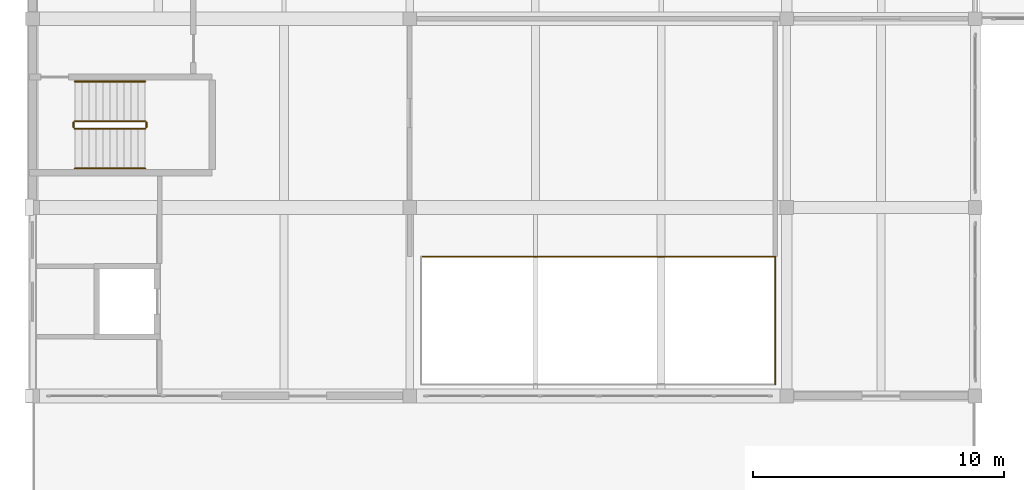
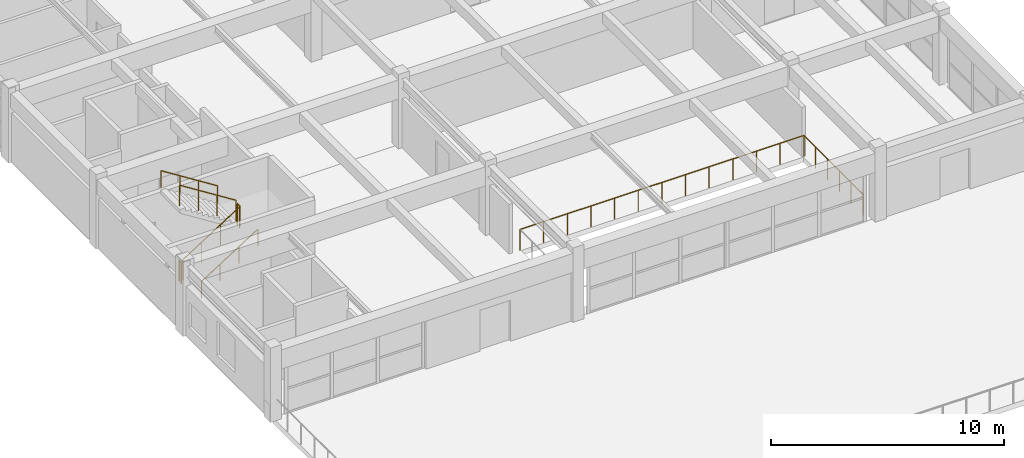
# One storey, part 90 of 101: 8 railings.
"""IFC4 building model written with IfcOpenShell, lengths in metres."""

from ifc_helpers import new_model, si_unit, direction, frame, origin, origin_2d, place, context, subcontext, project, spatial, circle, extrude, material, layer, layer_set, type_object, element, save


model = new_model("IFC4")

# Units and contexts
model_context = context("Model", 3, precision=1e-05, world=origin(), true_north=direction((0.0, 1.0)))
body_context = subcontext(model_context, "Body", "Model", "MODEL_VIEW")
ifc_project = project(units=[si_unit("LENGTHUNIT", "METRE"), si_unit("AREAUNIT", "SQUARE_METRE"), si_unit("VOLUMEUNIT", "CUBIC_METRE"), si_unit("PLANEANGLEUNIT", "RADIAN"), si_unit("MASSUNIT", "GRAM", prefix="KILO")], contexts=[model_context])

# Site, building, storey
site_placement = place(None, origin())
site = spatial("IfcSite", under=ifc_project, at=site_placement, CompositionType="ELEMENT")
building_placement = place(site_placement, origin())
building = spatial("IfcBuilding", under=site, at=building_placement, Name="Qasida Concert Hall", CompositionType="ELEMENT")
storey_placement = place(building_placement, frame((0.0, 0.0, 13.199951171875)))
storey = spatial("IfcBuildingStorey", under=building, at=storey_placement, Name="L03", CompositionType="ELEMENT", Elevation=13.199951171875)

# Railings
ifc_material_1 = material(Name="Carved Lebanese limestone and bronze top rail", Category="masonry")
ifc_layer_1 = layer(ifc_material_1, 0.10009765625, Name="Carved Lebanese limestone and bronze top rail")
ifc_layer_set_1 = layer_set([ifc_layer_1], Name="Carved Lebanese limestone and bronze top rail")
railing_type_1 = type_object("IfcRailingType", Name="RL-BAL-1100", PredefinedType="BALUSTRADE", material=ifc_layer_set_1)
railing_1_placement = place(storey_placement, frame((29.5400390625, 15.4599609375, 0.0)))
element("IfcRailing", 1, at=railing_1_placement, inside=storey, type_object=railing_type_1, Name="L03 L03 atrium balustrade 0055", PredefinedType="BALUSTRADE", context=body_context, shape_type="SweptSolid", body=[
    extrude(circle(Radius=0.02392578125, at=origin_2d()), frame((0.0, 0.0, 1.09619140625), z_axis=(0.0, 1.0, 0.0), x_axis=(-1.0, 0.0, 0.0)), (0.0, 0.0, 1.0), 5.080078125),
    extrude(circle(Radius=0.02099609375, at=origin_2d()), origin(), (0.0, 0.0, 1.0), 1.072021484375),
    extrude(circle(Radius=0.02099609375, at=origin_2d()), frame((0.0, 1.01611328125, 0.0)), (0.0, 0.0, 1.0), 1.072021484375),
    extrude(circle(Radius=0.02099609375, at=origin_2d()), frame((0.0, 2.031982421875, 0.0)), (0.0, 0.0, 1.0), 1.072021484375),
    extrude(circle(Radius=0.02099609375, at=origin_2d()), frame((0.0, 3.048095703125, 0.0)), (0.0, 0.0, 1.0), 1.072021484375),
    extrude(circle(Radius=0.02099609375, at=origin_2d()), frame((0.0, 4.06396484375, 0.0)), (0.0, 0.0, 1.0), 1.072021484375),
    extrude(circle(Radius=0.02099609375, at=origin_2d()), frame((0.0, 5.080078125, 0.0)), (0.0, 0.0, 1.0), 1.072021484375),
])
railing_2_placement = place(storey_placement, frame((29.5400390625, 20.5400390625, 0.0)))
element("IfcRailing", 2, at=railing_2_placement, inside=storey, type_object=railing_type_1, Name="L03 L03 atrium balustrade 0056", PredefinedType="BALUSTRADE", context=body_context, shape_type="SweptSolid", body=[
    extrude(circle(Radius=0.02392578125, at=origin_2d()), frame((0.0, 0.0, 1.09619140625), z_axis=(-1.0, 0.0, 0.0), x_axis=(0.0, -1.0, 0.0)), (0.0, 0.0, 1.0), 14.080078125),
    extrude(circle(Radius=0.02099609375, at=origin_2d()), origin(), (0.0, 0.0, 1.0), 1.072021484375),
    extrude(circle(Radius=0.02099609375, at=origin_2d()), frame((-1.17333984375, 0.0, 0.0)), (0.0, 0.0, 1.0), 1.072021484375),
    extrude(circle(Radius=0.02099609375, at=origin_2d()), frame((-2.3466796875, 0.0, 0.0)), (0.0, 0.0, 1.0), 1.072021484375),
    extrude(circle(Radius=0.02099609375, at=origin_2d()), frame((-3.52001953125, 0.0, 0.0)), (0.0, 0.0, 1.0), 1.072021484375),
    extrude(circle(Radius=0.02099609375, at=origin_2d()), frame((-4.693359375, 0.0, 0.0)), (0.0, 0.0, 1.0), 1.072021484375),
    extrude(circle(Radius=0.02099609375, at=origin_2d()), frame((-5.86669921875, 0.0, 0.0)), (0.0, 0.0, 1.0), 1.072021484375),
    extrude(circle(Radius=0.02099609375, at=origin_2d()), frame((-7.0400390625, 0.0, 0.0)), (0.0, 0.0, 1.0), 1.072021484375),
    extrude(circle(Radius=0.02099609375, at=origin_2d()), frame((-8.21337890625, 0.0, 0.0)), (0.0, 0.0, 1.0), 1.072021484375),
    extrude(circle(Radius=0.02099609375, at=origin_2d()), frame((-9.38671875, 0.0, 0.0)), (0.0, 0.0, 1.0), 1.072021484375),
    extrude(circle(Radius=0.02099609375, at=origin_2d()), frame((-10.56005859375, 0.0, 0.0)), (0.0, 0.0, 1.0), 1.072021484375),
    extrude(circle(Radius=0.02099609375, at=origin_2d()), frame((-11.7333984375, 0.0, 0.0)), (0.0, 0.0, 1.0), 1.072021484375),
    extrude(circle(Radius=0.02099609375, at=origin_2d()), frame((-12.90673828125, 0.0, 0.0)), (0.0, 0.0, 1.0), 1.072021484375),
    extrude(circle(Radius=0.02099609375, at=origin_2d()), frame((-14.080078125, 0.0, 0.0)), (0.0, 0.0, 1.0), 1.072021484375),
])
ifc_material_2 = material(Name="Patinated architectural bronze and laminated glass infill", Category="glass")
ifc_layer_2 = layer(ifc_material_2, 0.080078125, Name="Patinated architectural bronze and laminated glass infill")
ifc_layer_set_2 = layer_set([ifc_layer_2], Name="Patinated architectural bronze and laminated glass infill")
railing_type_2 = type_object("IfcRailingType", Name="RL-GRD-1100", PredefinedType="GUARDRAIL", material=ifc_layer_set_2)
railing_3_placement = place(storey_placement, frame((1.679931640625, 25.6298828125, 0.17724609375)))
element("IfcRailing", 3, at=railing_3_placement, inside=storey, type_object=railing_type_2, Name="L03 ST-03 stair guard 1", PredefinedType="GUARDRAIL", context=body_context, shape_type="SweptSolid", body=[
    extrude(circle(Radius=0.02392578125, at=origin_2d()), frame((0.0, 0.0, 1.076171875), z_axis=(0.844908973607, 0.0, 0.534910110503), x_axis=(0.0, 1.0, 0.0)), (0.0, 0.0, 1.0), 3.31396484375),
    extrude(circle(Radius=0.02099609375, at=origin_2d()), origin(), (0.0, 0.0, 1.0), 1.052001953125),
    extrude(circle(Radius=0.02099609375, at=origin_2d()), frame((0.933349609375, 0.0, 0.5908203125)), (0.0, 0.0, 1.0), 1.052001953125),
    extrude(circle(Radius=0.02099609375, at=origin_2d()), frame((1.86669921875, 0.0, 1.181884765625)), (0.0, 0.0, 1.0), 1.052001953125),
    extrude(circle(Radius=0.02099609375, at=origin_2d()), frame((2.800048828125, 0.0, 1.772705078125)), (0.0, 0.0, 1.0), 1.052001953125),
])
railing_4_placement = place(storey_placement, frame((4.530029296875, 25.679931640625, 1.949951171875)))
element("IfcRailing", 4, at=railing_4_placement, inside=storey, type_object=railing_type_2, Name="L03 ST-03 stair guard 2", PredefinedType="GUARDRAIL", context=body_context, shape_type="SweptSolid", body=[
    extrude(circle(Radius=0.02392578125, at=origin_2d()), frame((0.0, 0.0, 1.076171875), z_axis=(0.0, 1.0, 0.0), x_axis=(-1.0, 0.0, 0.0)), (0.0, 0.0, 1.0), 0.199951171875),
    extrude(circle(Radius=0.02099609375, at=origin_2d()), origin(), (0.0, 0.0, 1.0), 1.052001953125),
    extrude(circle(Radius=0.02099609375, at=origin_2d()), frame((0.0, 0.199951171875, 0.0)), (0.0, 0.0, 1.0), 1.052001953125),
])
railing_5_placement = place(storey_placement, frame((4.47998046875, 25.929931640625, 2.12744140625)))
element("IfcRailing", 5, at=railing_5_placement, inside=storey, type_object=railing_type_2, Name="L03 ST-03 stair guard 3", PredefinedType="GUARDRAIL", context=body_context, shape_type="SweptSolid", body=[
    extrude(circle(Radius=0.02392578125, at=origin_2d()), frame((0.0, 0.0, 1.076171875), z_axis=(-0.844908973607, 0.0, 0.534910110503), x_axis=(0.0, -1.0, 0.0)), (0.0, 0.0, 1.0), 3.31396484375),
    extrude(circle(Radius=0.02099609375, at=origin_2d()), origin(), (0.0, 0.0, 1.0), 1.052001953125),
    extrude(circle(Radius=0.02099609375, at=origin_2d()), frame((-0.933349609375, 0.0, 0.5908203125)), (0.0, 0.0, 1.0), 1.052001953125),
    extrude(circle(Radius=0.02099609375, at=origin_2d()), frame((-1.86669921875, 0.0, 1.181884765625)), (0.0, 0.0, 1.0), 1.052001953125),
    extrude(circle(Radius=0.02099609375, at=origin_2d()), frame((-2.800048828125, 0.0, 1.772705078125)), (0.0, 0.0, 1.0), 1.052001953125),
])
railing_6_placement = place(storey_placement, frame((1.6298828125, 25.679931640625, 0.0)))
element("IfcRailing", 6, at=railing_6_placement, inside=storey, type_object=railing_type_2, Name="L03 ST-03 stair guard 4", PredefinedType="GUARDRAIL", context=body_context, shape_type="SweptSolid", body=[
    extrude(circle(Radius=0.02392578125, at=origin_2d()), frame((0.0, 0.0, 1.076171875), z_axis=(0.0, 1.0, 0.0), x_axis=(-1.0, 0.0, 0.0)), (0.0, 0.0, 1.0), 0.199951171875),
    extrude(circle(Radius=0.02099609375, at=origin_2d()), origin(), (0.0, 0.0, 1.0), 1.052001953125),
    extrude(circle(Radius=0.02099609375, at=origin_2d()), frame((0.0, 0.199951171875, 0.0)), (0.0, 0.0, 1.0), 1.052001953125),
])
ifc_material_3 = material(Name="Patinated tubular architectural bronze", Category="steel")
ifc_layer_3 = layer(ifc_material_3, 0.050048828125, Name="Patinated tubular architectural bronze")
ifc_layer_set_3 = layer_set([ifc_layer_3], Name="Patinated tubular architectural bronze")
railing_type_3 = type_object("IfcRailingType", Name="RL-HND-900", PredefinedType="HANDRAIL", material=ifc_layer_set_3)
railing_7_placement = place(storey_placement, frame((1.679931640625, 24.050048828125, 0.17724609375)))
element("IfcRailing", 7, at=railing_7_placement, inside=storey, type_object=railing_type_3, Name="L03 ST-03 stair handrail 1", PredefinedType="HANDRAIL", context=body_context, shape_type="SweptSolid", body=[
    extrude(circle(Radius=0.02392578125, at=origin_2d()), frame((0.0, 0.0, 0.8759765625), z_axis=(0.844908973607, 0.0, 0.534910110503), x_axis=(0.0, 1.0, 0.0)), (0.0, 0.0, 1.0), 3.31396484375),
    extrude(circle(Radius=0.02099609375, at=origin_2d()), origin(), (0.0, 0.0, 1.0), 0.851806640625),
    extrude(circle(Radius=0.02099609375, at=origin_2d()), frame((0.933349609375, 0.0, 0.5908203125)), (0.0, 0.0, 1.0), 0.851806640625),
    extrude(circle(Radius=0.02099609375, at=origin_2d()), frame((1.86669921875, 0.0, 1.181884765625)), (0.0, 0.0, 1.0), 0.851806640625),
    extrude(circle(Radius=0.02099609375, at=origin_2d()), frame((2.800048828125, 0.0, 1.772705078125)), (0.0, 0.0, 1.0), 0.851806640625),
])
railing_8_placement = place(storey_placement, frame((4.47998046875, 27.510009765625, 2.12744140625)))
element("IfcRailing", 8, at=railing_8_placement, inside=storey, type_object=railing_type_3, Name="L03 ST-03 stair handrail 2", PredefinedType="HANDRAIL", context=body_context, shape_type="SweptSolid", body=[
    extrude(circle(Radius=0.02392578125, at=origin_2d()), frame((0.0, 0.0, 0.8759765625), z_axis=(-0.844908973607, 0.0, 0.534910110503), x_axis=(0.0, -1.0, 0.0)), (0.0, 0.0, 1.0), 3.31396484375),
    extrude(circle(Radius=0.02099609375, at=origin_2d()), origin(), (0.0, 0.0, 1.0), 0.851806640625),
    extrude(circle(Radius=0.02099609375, at=origin_2d()), frame((-0.933349609375, 0.0, 0.5908203125)), (0.0, 0.0, 1.0), 0.851806640625),
    extrude(circle(Radius=0.02099609375, at=origin_2d()), frame((-1.86669921875, 0.0, 1.181884765625)), (0.0, 0.0, 1.0), 0.851806640625),
    extrude(circle(Radius=0.02099609375, at=origin_2d()), frame((-2.800048828125, 0.0, 1.772705078125)), (0.0, 0.0, 1.0), 0.851806640625),
])

save(model, "model.ifc")
